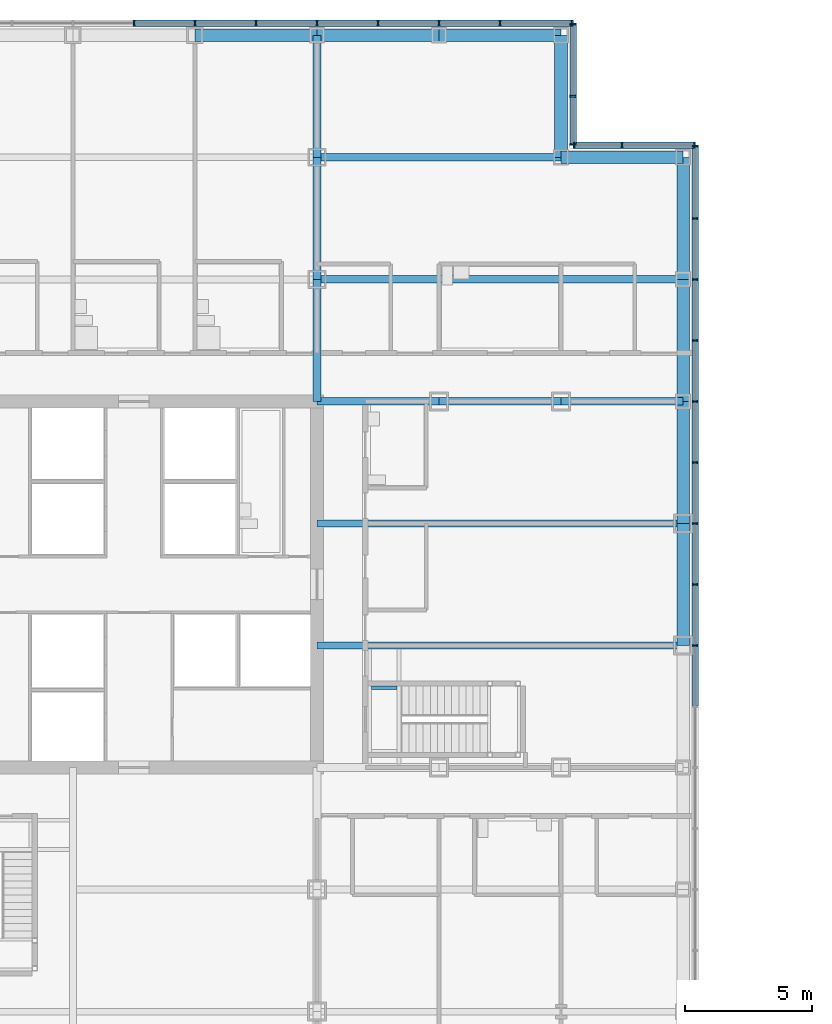
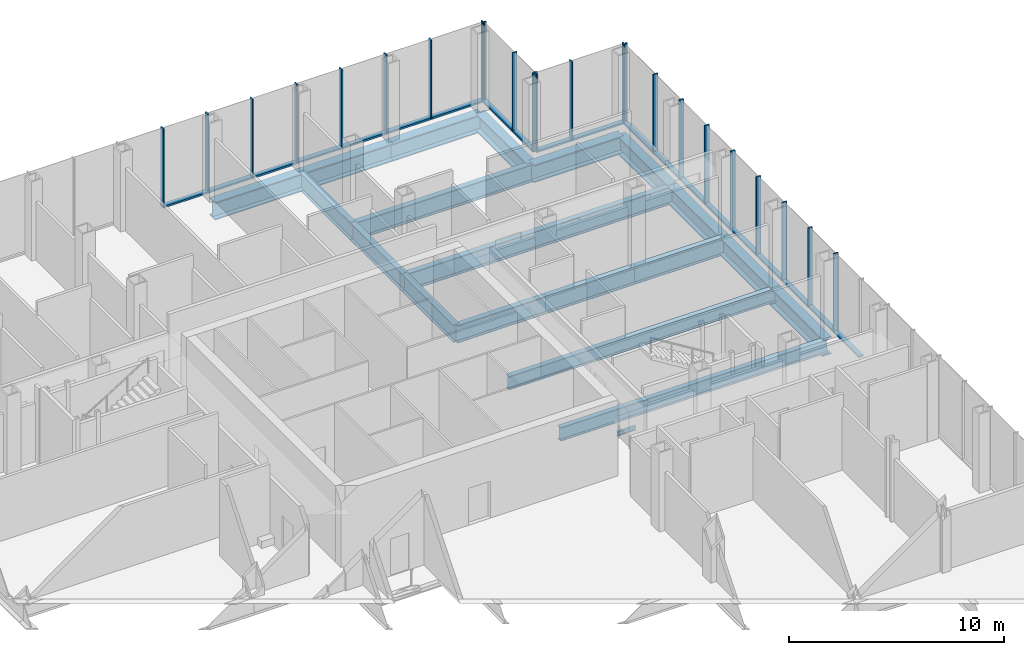
# One storey, part 16 of 25: 43 members, 20 beams, 4 elements without a shape of their own.
"""IFC4 building model written with IfcOpenShell, lengths in metres."""

from ifc_helpers import new_model, si_unit, direction, frame, origin, origin_2d, place, context, subcontext, project, spatial, rectangle, i_section, extrude, material, material_profile, profile_set, type_object, element, aggregate, save


model = new_model("IFC4")

# Units and contexts
model_context = context("Model", 3, precision=1e-05, world=origin(), true_north=direction((0.0, 1.0)))
body_context = subcontext(model_context, "Body", "Model", "MODEL_VIEW")
ifc_project = project(units=[si_unit("LENGTHUNIT", "METRE"), si_unit("AREAUNIT", "SQUARE_METRE"), si_unit("VOLUMEUNIT", "CUBIC_METRE"), si_unit("PLANEANGLEUNIT", "RADIAN"), si_unit("MASSUNIT", "GRAM", prefix="KILO")], contexts=[model_context])

# Site, building, storey
site_placement = place(None, origin())
site = spatial("IfcSite", under=ifc_project, at=site_placement, CompositionType="ELEMENT")
building_placement = place(site_placement, origin())
building = spatial("IfcBuilding", under=site, at=building_placement, Name="Kvirike Care Tower", CompositionType="ELEMENT")
storey_placement = place(building_placement, frame((0.0, 0.0, 9.0)))
storey = spatial("IfcBuildingStorey", under=building, at=storey_placement, Name="L02", CompositionType="ELEMENT", Elevation=9.0)

# Curtain wall, members
ifc_material_1 = material(Name="Anodised aluminium stick system", Category="aluminium")
curtain_wall_type = type_object("IfcCurtainWallType", Name="CW-P PODIUM STICK CURTAIN WALL", PredefinedType="NOTDEFINED", material=ifc_material_1)
curtain_wall_1_placement = place(storey_placement, origin())
curtain_wall_1 = element("IfcCurtainWall", 1, at=curtain_wall_1_placement, inside=storey, type_object=curtain_wall_type, Name="Curtain wall L02 face 8", PredefinedType="NOTDEFINED")
ifc_material_2 = material(Name="Bronze anodised aluminium mullion", Category="aluminium")
ifc_material_profile_1 = material_profile(ifc_material_2, rectangle(XDim=0.06494140625, YDim=0.25, at=origin_2d()), Name="CW-P MULLION 65x250")
ifc_profile_set_1 = profile_set([ifc_material_profile_1], Name="Bronze anodised aluminium mullion")
member_type_1 = type_object("IfcMemberType", Name="CW-P MULLION 65x250", PredefinedType="MULLION", material=ifc_profile_set_1)
member_1_placement = place(storey_placement, frame((43.675048828125, 33.60009765625, 0.0), z_axis=(0.0, 0.0, 1.0), x_axis=(0.0, 1.0, 0.0)))
member_1 = element("IfcMember", 2, at=member_1_placement, type_object=member_type_1, Name="CW-P mullion L02 face 8.9", PredefinedType="MULLION", context=body_context, shape_type="SweptSolid", body=[
    extrude(rectangle(XDim=0.06494140625, YDim=0.25, at=origin_2d()), origin(), (0.0, 0.0, 1.0), 4.5),
])
member_2_placement = place(storey_placement, frame((43.675048828125, 36.0, 0.0), z_axis=(0.0, 0.0, 1.0), x_axis=(0.0, 1.0, 0.0)))
member_2 = element("IfcMember", 3, at=member_2_placement, type_object=member_type_1, Name="CW-P mullion L02 face 8.10", PredefinedType="MULLION", context=body_context, shape_type="SweptSolid", body=[
    extrude(rectangle(XDim=0.06494140625, YDim=0.25, at=origin_2d()), origin(), (0.0, 0.0, 1.0), 4.5),
])
member_3_placement = place(storey_placement, frame((43.675048828125, 38.39990234375, 0.0), z_axis=(0.0, 0.0, 1.0), x_axis=(0.0, 1.0, 0.0)))
member_3 = element("IfcMember", 4, at=member_3_placement, type_object=member_type_1, Name="CW-P mullion L02 face 8.11", PredefinedType="MULLION", context=body_context, shape_type="SweptSolid", body=[
    extrude(rectangle(XDim=0.06494140625, YDim=0.25, at=origin_2d()), origin(), (0.0, 0.0, 1.0), 4.5),
])
member_4_placement = place(storey_placement, frame((43.675048828125, 40.800048828125, 0.0), z_axis=(0.0, 0.0, 1.0), x_axis=(0.0, 1.0, 0.0)))
member_4 = element("IfcMember", 5, at=member_4_placement, type_object=member_type_1, Name="CW-P mullion L02 face 8.12", PredefinedType="MULLION", context=body_context, shape_type="SweptSolid", body=[
    extrude(rectangle(XDim=0.06494140625, YDim=0.25, at=origin_2d()), origin(), (0.0, 0.0, 1.0), 4.5),
])
member_5_placement = place(storey_placement, frame((43.675048828125, 43.199951171875, 0.0), z_axis=(0.0, 0.0, 1.0), x_axis=(0.0, 1.0, 0.0)))
member_5 = element("IfcMember", 6, at=member_5_placement, type_object=member_type_1, Name="CW-P mullion L02 face 8.13", PredefinedType="MULLION", context=body_context, shape_type="SweptSolid", body=[
    extrude(rectangle(XDim=0.06494140625, YDim=0.25, at=origin_2d()), origin(), (0.0, 0.0, 1.0), 4.5),
])
member_6_placement = place(storey_placement, frame((43.675048828125, 45.60009765625, 0.0), z_axis=(0.0, 0.0, 1.0), x_axis=(0.0, 1.0, 0.0)))
member_6 = element("IfcMember", 7, at=member_6_placement, type_object=member_type_1, Name="CW-P mullion L02 face 8.14", PredefinedType="MULLION", context=body_context, shape_type="SweptSolid", body=[
    extrude(rectangle(XDim=0.06494140625, YDim=0.25, at=origin_2d()), origin(), (0.0, 0.0, 1.0), 4.5),
])
member_7_placement = place(storey_placement, frame((43.675048828125, 48.0, 0.0), z_axis=(0.0, 0.0, 1.0), x_axis=(0.0, 1.0, 0.0)))
member_7 = element("IfcMember", 8, at=member_7_placement, type_object=member_type_1, Name="CW-P mullion L02 face 8.15", PredefinedType="MULLION", context=body_context, shape_type="SweptSolid", body=[
    extrude(rectangle(XDim=0.06494140625, YDim=0.25, at=origin_2d()), origin(), (0.0, 0.0, 1.0), 4.5),
])
member_8_placement = place(storey_placement, frame((43.675048828125, 50.39990234375, 0.0), z_axis=(0.0, 0.0, 1.0), x_axis=(0.0, 1.0, 0.0)))
member_8 = element("IfcMember", 9, at=member_8_placement, type_object=member_type_1, Name="CW-P mullion L02 face 8.16", PredefinedType="MULLION", context=body_context, shape_type="SweptSolid", body=[
    extrude(rectangle(XDim=0.06494140625, YDim=0.25, at=origin_2d()), origin(), (0.0, 0.0, 1.0), 4.5),
])
member_9_placement = place(storey_placement, frame((43.675048828125, 53.242431640625, 0.0), z_axis=(0.0, 0.0, 1.0), x_axis=(0.0, 1.0, 0.0)))
member_9 = element("IfcMember", 10, at=member_9_placement, type_object=member_type_1, Name="CW-P mullion L02 face 8.17", PredefinedType="MULLION", context=body_context, shape_type="SweptSolid", body=[
    extrude(rectangle(XDim=0.06494140625, YDim=0.25, at=origin_2d()), origin(), (0.0, 0.0, 1.0), 4.5),
])

curtain_wall_2_placement = place(storey_placement, origin())
curtain_wall_2 = element("IfcCurtainWall", 11, at=curtain_wall_2_placement, inside=storey, type_object=curtain_wall_type, Name="Curtain wall L02 face 9", PredefinedType="NOTDEFINED")
member_10_placement = place(storey_placement, frame((43.642578125, 53.27490234375, 0.0), z_axis=(0.0, 0.0, 1.0), x_axis=(-1.0, 0.0, 0.0)))
member_10 = element("IfcMember", 12, at=member_10_placement, type_object=member_type_1, Name="CW-P mullion L02 face 9.1", PredefinedType="MULLION", context=body_context, shape_type="SweptSolid", body=[
    extrude(rectangle(XDim=0.06494140625, YDim=0.25, at=origin_2d()), origin(), (0.0, 0.0, 1.0), 4.5),
])
member_11_placement = place(storey_placement, frame((40.800048828125, 53.27490234375, 0.0), z_axis=(0.0, 0.0, 1.0), x_axis=(-1.0, 0.0, 0.0)))
member_11 = element("IfcMember", 13, at=member_11_placement, type_object=member_type_1, Name="CW-P mullion L02 face 9.2", PredefinedType="MULLION", context=body_context, shape_type="SweptSolid", body=[
    extrude(rectangle(XDim=0.06494140625, YDim=0.25, at=origin_2d()), origin(), (0.0, 0.0, 1.0), 4.5),
])
member_12_placement = place(storey_placement, frame((38.907470703125, 53.27490234375, 0.0), z_axis=(0.0, 0.0, 1.0), x_axis=(-1.0, 0.0, 0.0)))
member_12 = element("IfcMember", 14, at=member_12_placement, type_object=member_type_1, Name="CW-P mullion L02 face 9.3", PredefinedType="MULLION", context=body_context, shape_type="SweptSolid", body=[
    extrude(rectangle(XDim=0.06494140625, YDim=0.25, at=origin_2d()), origin(), (0.0, 0.0, 1.0), 4.5),
])

curtain_wall_3_placement = place(storey_placement, origin())
curtain_wall_3 = element("IfcCurtainWall", 15, at=curtain_wall_3_placement, inside=storey, type_object=curtain_wall_type, Name="Curtain wall L02 face 10", PredefinedType="NOTDEFINED")
member_13_placement = place(storey_placement, frame((38.875, 53.3076171875, 0.0), z_axis=(0.0, 0.0, 1.0), x_axis=(0.0, 1.0, 0.0)))
member_13 = element("IfcMember", 16, at=member_13_placement, type_object=member_type_1, Name="CW-P mullion L02 face 10.1", PredefinedType="MULLION", context=body_context, shape_type="SweptSolid", body=[
    extrude(rectangle(XDim=0.06494140625, YDim=0.25, at=origin_2d()), origin(), (0.0, 0.0, 1.0), 4.5),
])
member_14_placement = place(storey_placement, frame((38.875, 55.199951171875, 0.0), z_axis=(0.0, 0.0, 1.0), x_axis=(0.0, 1.0, 0.0)))
member_14 = element("IfcMember", 17, at=member_14_placement, type_object=member_type_1, Name="CW-P mullion L02 face 10.2", PredefinedType="MULLION", context=body_context, shape_type="SweptSolid", body=[
    extrude(rectangle(XDim=0.06494140625, YDim=0.25, at=origin_2d()), origin(), (0.0, 0.0, 1.0), 4.5),
])
member_15_placement = place(storey_placement, frame((38.875, 58.04248046875, 0.0), z_axis=(0.0, 0.0, 1.0), x_axis=(0.0, 1.0, 0.0)))
member_15 = element("IfcMember", 18, at=member_15_placement, type_object=member_type_1, Name="CW-P mullion L02 face 10.3", PredefinedType="MULLION", context=body_context, shape_type="SweptSolid", body=[
    extrude(rectangle(XDim=0.06494140625, YDim=0.25, at=origin_2d()), origin(), (0.0, 0.0, 1.0), 4.5),
])

curtain_wall_4_placement = place(storey_placement, origin())
curtain_wall_4 = element("IfcCurtainWall", 19, at=curtain_wall_4_placement, inside=storey, type_object=curtain_wall_type, Name="Curtain wall L02 face 11", PredefinedType="NOTDEFINED")
member_16_placement = place(storey_placement, frame((38.842529296875, 58.074951171875, 0.0), z_axis=(0.0, 0.0, 1.0), x_axis=(-1.0, 0.0, 0.0)))
member_16 = element("IfcMember", 20, at=member_16_placement, type_object=member_type_1, Name="CW-P mullion L02 face 11.1", PredefinedType="MULLION", context=body_context, shape_type="SweptSolid", body=[
    extrude(rectangle(XDim=0.06494140625, YDim=0.25, at=origin_2d()), origin(), (0.0, 0.0, 1.0), 4.5),
])
member_17_placement = place(storey_placement, frame((36.0, 58.074951171875, 0.0), z_axis=(0.0, 0.0, 1.0), x_axis=(-1.0, 0.0, 0.0)))
member_17 = element("IfcMember", 21, at=member_17_placement, type_object=member_type_1, Name="CW-P mullion L02 face 11.2", PredefinedType="MULLION", context=body_context, shape_type="SweptSolid", body=[
    extrude(rectangle(XDim=0.06494140625, YDim=0.25, at=origin_2d()), origin(), (0.0, 0.0, 1.0), 4.5),
])
member_18_placement = place(storey_placement, frame((33.60009765625, 58.074951171875, 0.0), z_axis=(0.0, 0.0, 1.0), x_axis=(-1.0, 0.0, 0.0)))
member_18 = element("IfcMember", 22, at=member_18_placement, type_object=member_type_1, Name="CW-P mullion L02 face 11.3", PredefinedType="MULLION", context=body_context, shape_type="SweptSolid", body=[
    extrude(rectangle(XDim=0.06494140625, YDim=0.25, at=origin_2d()), origin(), (0.0, 0.0, 1.0), 4.5),
])
member_19_placement = place(storey_placement, frame((31.199951171875, 58.074951171875, 0.0), z_axis=(0.0, 0.0, 1.0), x_axis=(-1.0, 0.0, 0.0)))
member_19 = element("IfcMember", 23, at=member_19_placement, type_object=member_type_1, Name="CW-P mullion L02 face 11.4", PredefinedType="MULLION", context=body_context, shape_type="SweptSolid", body=[
    extrude(rectangle(XDim=0.06494140625, YDim=0.25, at=origin_2d()), origin(), (0.0, 0.0, 1.0), 4.5),
])
member_20_placement = place(storey_placement, frame((28.800048828125, 58.074951171875, 0.0), z_axis=(0.0, 0.0, 1.0), x_axis=(-1.0, 0.0, 0.0)))
member_20 = element("IfcMember", 24, at=member_20_placement, type_object=member_type_1, Name="CW-P mullion L02 face 11.5", PredefinedType="MULLION", context=body_context, shape_type="SweptSolid", body=[
    extrude(rectangle(XDim=0.06494140625, YDim=0.25, at=origin_2d()), origin(), (0.0, 0.0, 1.0), 4.5),
])
member_21_placement = place(storey_placement, frame((26.39990234375, 58.074951171875, 0.0), z_axis=(0.0, 0.0, 1.0), x_axis=(-1.0, 0.0, 0.0)))
member_21 = element("IfcMember", 25, at=member_21_placement, type_object=member_type_1, Name="CW-P mullion L02 face 11.6", PredefinedType="MULLION", context=body_context, shape_type="SweptSolid", body=[
    extrude(rectangle(XDim=0.06494140625, YDim=0.25, at=origin_2d()), origin(), (0.0, 0.0, 1.0), 4.5),
])
member_22_placement = place(storey_placement, frame((24.0, 58.074951171875, 0.0), z_axis=(0.0, 0.0, 1.0), x_axis=(-1.0, 0.0, 0.0)))
member_22 = element("IfcMember", 26, at=member_22_placement, type_object=member_type_1, Name="CW-P mullion L02 face 11.7", PredefinedType="MULLION", context=body_context, shape_type="SweptSolid", body=[
    extrude(rectangle(XDim=0.06494140625, YDim=0.25, at=origin_2d()), origin(), (0.0, 0.0, 1.0), 4.5),
])
member_23_placement = place(storey_placement, frame((21.60009765625, 58.074951171875, 0.0), z_axis=(0.0, 0.0, 1.0), x_axis=(-1.0, 0.0, 0.0)))
member_23 = element("IfcMember", 27, at=member_23_placement, type_object=member_type_1, Name="CW-P mullion L02 face 11.8", PredefinedType="MULLION", context=body_context, shape_type="SweptSolid", body=[
    extrude(rectangle(XDim=0.06494140625, YDim=0.25, at=origin_2d()), origin(), (0.0, 0.0, 1.0), 4.5),
])

# Member
ifc_material_3 = material(Name="Bronze anodised aluminium transom", Category="aluminium")
ifc_material_profile_2 = material_profile(ifc_material_3, rectangle(XDim=0.25, YDim=0.10009765625, at=origin_2d()), Name="CW-P TRANSOM 250x100")
ifc_profile_set_2 = profile_set([ifc_material_profile_2], Name="Bronze anodised aluminium transom")
member_type_2 = type_object("IfcMemberType", Name="CW-P TRANSOM 250x100", PredefinedType="USERDEFINED", material=ifc_profile_set_2)
member_24_placement = place(storey_placement, frame((43.675048828125, 31.232421875, 0.050048828125), z_axis=(0.0, 1.0, 0.0), x_axis=(-1.0, 0.0, 0.0)))
member_24 = element("IfcMember", 28, at=member_24_placement, type_object=member_type_2, Name="CW-P sill transom L02 face 8.8", ObjectType="TRANSOM", PredefinedType="USERDEFINED", context=body_context, shape_type="SweptSolid", body=[
    extrude(rectangle(XDim=0.25, YDim=0.10009765625, at=origin_2d()), origin(), (0.0, 0.0, 1.0), 2.3349609375),
])

member_25_placement = place(storey_placement, frame((43.675048828125, 33.632568359375, 0.050048828125), z_axis=(0.0, 1.0, 0.0), x_axis=(-1.0, 0.0, 0.0)))
member_25 = element("IfcMember", 29, at=member_25_placement, type_object=member_type_2, Name="CW-P sill transom L02 face 8.9", ObjectType="TRANSOM", PredefinedType="USERDEFINED", context=body_context, shape_type="SweptSolid", body=[
    extrude(rectangle(XDim=0.25, YDim=0.10009765625, at=origin_2d()), origin(), (0.0, 0.0, 1.0), 2.3349609375),
])

member_26_placement = place(storey_placement, frame((43.675048828125, 36.032470703125, 0.050048828125), z_axis=(0.0, 1.0, 0.0), x_axis=(-1.0, 0.0, 0.0)))
member_26 = element("IfcMember", 30, at=member_26_placement, type_object=member_type_2, Name="CW-P sill transom L02 face 8.10", ObjectType="TRANSOM", PredefinedType="USERDEFINED", context=body_context, shape_type="SweptSolid", body=[
    extrude(rectangle(XDim=0.25, YDim=0.10009765625, at=origin_2d()), origin(), (0.0, 0.0, 1.0), 2.3349609375),
])

member_27_placement = place(storey_placement, frame((43.675048828125, 38.4326171875, 0.050048828125), z_axis=(0.0, 1.0, 0.0), x_axis=(-1.0, 0.0, 0.0)))
member_27 = element("IfcMember", 31, at=member_27_placement, type_object=member_type_2, Name="CW-P sill transom L02 face 8.11", ObjectType="TRANSOM", PredefinedType="USERDEFINED", context=body_context, shape_type="SweptSolid", body=[
    extrude(rectangle(XDim=0.25, YDim=0.10009765625, at=origin_2d()), origin(), (0.0, 0.0, 1.0), 2.3349609375),
])

member_28_placement = place(storey_placement, frame((43.675048828125, 40.83251953125, 0.050048828125), z_axis=(0.0, 1.0, 0.0), x_axis=(-1.0, 0.0, 0.0)))
member_28 = element("IfcMember", 32, at=member_28_placement, type_object=member_type_2, Name="CW-P sill transom L02 face 8.12", ObjectType="TRANSOM", PredefinedType="USERDEFINED", context=body_context, shape_type="SweptSolid", body=[
    extrude(rectangle(XDim=0.25, YDim=0.10009765625, at=origin_2d()), origin(), (0.0, 0.0, 1.0), 2.3349609375),
])

member_29_placement = place(storey_placement, frame((43.675048828125, 43.232421875, 0.050048828125), z_axis=(0.0, 1.0, 0.0), x_axis=(-1.0, 0.0, 0.0)))
member_29 = element("IfcMember", 33, at=member_29_placement, type_object=member_type_2, Name="CW-P sill transom L02 face 8.13", ObjectType="TRANSOM", PredefinedType="USERDEFINED", context=body_context, shape_type="SweptSolid", body=[
    extrude(rectangle(XDim=0.25, YDim=0.10009765625, at=origin_2d()), origin(), (0.0, 0.0, 1.0), 2.3349609375),
])

member_30_placement = place(storey_placement, frame((43.675048828125, 45.632568359375, 0.050048828125), z_axis=(0.0, 1.0, 0.0), x_axis=(-1.0, 0.0, 0.0)))
member_30 = element("IfcMember", 34, at=member_30_placement, type_object=member_type_2, Name="CW-P sill transom L02 face 8.14", ObjectType="TRANSOM", PredefinedType="USERDEFINED", context=body_context, shape_type="SweptSolid", body=[
    extrude(rectangle(XDim=0.25, YDim=0.10009765625, at=origin_2d()), origin(), (0.0, 0.0, 1.0), 2.3349609375),
])

member_31_placement = place(storey_placement, frame((43.675048828125, 48.032470703125, 0.050048828125), z_axis=(0.0, 1.0, 0.0), x_axis=(-1.0, 0.0, 0.0)))
member_31 = element("IfcMember", 35, at=member_31_placement, type_object=member_type_2, Name="CW-P sill transom L02 face 8.15", ObjectType="TRANSOM", PredefinedType="USERDEFINED", context=body_context, shape_type="SweptSolid", body=[
    extrude(rectangle(XDim=0.25, YDim=0.10009765625, at=origin_2d()), origin(), (0.0, 0.0, 1.0), 2.3349609375),
])

member_32_placement = place(storey_placement, frame((43.675048828125, 50.4326171875, 0.050048828125), z_axis=(0.0, 1.0, 0.0), x_axis=(-1.0, 0.0, 0.0)))
member_32 = element("IfcMember", 36, at=member_32_placement, type_object=member_type_2, Name="CW-P sill transom L02 face 8.16", ObjectType="TRANSOM", PredefinedType="USERDEFINED", context=body_context, shape_type="SweptSolid", body=[
    extrude(rectangle(XDim=0.25, YDim=0.10009765625, at=origin_2d()), origin(), (0.0, 0.0, 1.0), 2.77734375),
])

aggregate(curtain_wall_1, [member_1, member_2, member_3, member_4, member_5, member_6, member_7, member_8, member_9, member_24, member_25, member_26, member_27, member_28, member_29, member_30, member_31, member_32])

member_33_placement = place(storey_placement, frame((43.610107421875, 53.27490234375, 0.050048828125), z_axis=(-1.0, 0.0, 0.0), x_axis=(0.0, -1.0, 0.0)))
member_33 = element("IfcMember", 37, at=member_33_placement, type_object=member_type_2, Name="CW-P sill transom L02 face 9.1", ObjectType="TRANSOM", PredefinedType="USERDEFINED", context=body_context, shape_type="SweptSolid", body=[
    extrude(rectangle(XDim=0.25, YDim=0.10009765625, at=origin_2d()), origin(), (0.0, 0.0, 1.0), 2.777587890625),
])

member_34_placement = place(storey_placement, frame((40.767578125, 53.27490234375, 0.050048828125), z_axis=(-1.0, 0.0, 0.0), x_axis=(0.0, -1.0, 0.0)))
member_34 = element("IfcMember", 38, at=member_34_placement, type_object=member_type_2, Name="CW-P sill transom L02 face 9.2", ObjectType="TRANSOM", PredefinedType="USERDEFINED", context=body_context, shape_type="SweptSolid", body=[
    extrude(rectangle(XDim=0.25, YDim=0.10009765625, at=origin_2d()), origin(), (0.0, 0.0, 1.0), 1.82763671875),
])

aggregate(curtain_wall_2, [member_10, member_11, member_12, member_33, member_34])

member_35_placement = place(storey_placement, frame((38.875, 53.340087890625, 0.050048828125), z_axis=(0.0, 1.0, 0.0), x_axis=(-1.0, 0.0, 0.0)))
member_35 = element("IfcMember", 39, at=member_35_placement, type_object=member_type_2, Name="CW-P sill transom L02 face 10.1", ObjectType="TRANSOM", PredefinedType="USERDEFINED", context=body_context, shape_type="SweptSolid", body=[
    extrude(rectangle(XDim=0.25, YDim=0.10009765625, at=origin_2d()), origin(), (0.0, 0.0, 1.0), 1.827392578125),
])

member_36_placement = place(storey_placement, frame((38.875, 55.232421875, 0.050048828125), z_axis=(0.0, 1.0, 0.0), x_axis=(-1.0, 0.0, 0.0)))
member_36 = element("IfcMember", 40, at=member_36_placement, type_object=member_type_2, Name="CW-P sill transom L02 face 10.2", ObjectType="TRANSOM", PredefinedType="USERDEFINED", context=body_context, shape_type="SweptSolid", body=[
    extrude(rectangle(XDim=0.25, YDim=0.10009765625, at=origin_2d()), origin(), (0.0, 0.0, 1.0), 2.777587890625),
])

aggregate(curtain_wall_3, [member_13, member_14, member_15, member_35, member_36])

member_37_placement = place(storey_placement, frame((38.81005859375, 58.074951171875, 0.050048828125), z_axis=(-1.0, 0.0, 0.0), x_axis=(0.0, -1.0, 0.0)))
member_37 = element("IfcMember", 41, at=member_37_placement, type_object=member_type_2, Name="CW-P sill transom L02 face 11.1", ObjectType="TRANSOM", PredefinedType="USERDEFINED", context=body_context, shape_type="SweptSolid", body=[
    extrude(rectangle(XDim=0.25, YDim=0.10009765625, at=origin_2d()), origin(), (0.0, 0.0, 1.0), 2.777587890625),
])

member_38_placement = place(storey_placement, frame((35.967529296875, 58.074951171875, 0.050048828125), z_axis=(-1.0, 0.0, 0.0), x_axis=(0.0, -1.0, 0.0)))
member_38 = element("IfcMember", 42, at=member_38_placement, type_object=member_type_2, Name="CW-P sill transom L02 face 11.2", ObjectType="TRANSOM", PredefinedType="USERDEFINED", context=body_context, shape_type="SweptSolid", body=[
    extrude(rectangle(XDim=0.25, YDim=0.10009765625, at=origin_2d()), origin(), (0.0, 0.0, 1.0), 2.3349609375),
])

member_39_placement = place(storey_placement, frame((33.5673828125, 58.074951171875, 0.050048828125), z_axis=(-1.0, 0.0, 0.0), x_axis=(0.0, -1.0, 0.0)))
member_39 = element("IfcMember", 43, at=member_39_placement, type_object=member_type_2, Name="CW-P sill transom L02 face 11.3", ObjectType="TRANSOM", PredefinedType="USERDEFINED", context=body_context, shape_type="SweptSolid", body=[
    extrude(rectangle(XDim=0.25, YDim=0.10009765625, at=origin_2d()), origin(), (0.0, 0.0, 1.0), 2.3349609375),
])

member_40_placement = place(storey_placement, frame((31.16748046875, 58.074951171875, 0.050048828125), z_axis=(-1.0, 0.0, 0.0), x_axis=(0.0, -1.0, 0.0)))
member_40 = element("IfcMember", 44, at=member_40_placement, type_object=member_type_2, Name="CW-P sill transom L02 face 11.4", ObjectType="TRANSOM", PredefinedType="USERDEFINED", context=body_context, shape_type="SweptSolid", body=[
    extrude(rectangle(XDim=0.25, YDim=0.10009765625, at=origin_2d()), origin(), (0.0, 0.0, 1.0), 2.3349609375),
])

member_41_placement = place(storey_placement, frame((28.767578125, 58.074951171875, 0.050048828125), z_axis=(-1.0, 0.0, 0.0), x_axis=(0.0, -1.0, 0.0)))
member_41 = element("IfcMember", 45, at=member_41_placement, type_object=member_type_2, Name="CW-P sill transom L02 face 11.5", ObjectType="TRANSOM", PredefinedType="USERDEFINED", context=body_context, shape_type="SweptSolid", body=[
    extrude(rectangle(XDim=0.25, YDim=0.10009765625, at=origin_2d()), origin(), (0.0, 0.0, 1.0), 2.3349609375),
])

member_42_placement = place(storey_placement, frame((26.367431640625, 58.074951171875, 0.050048828125), z_axis=(-1.0, 0.0, 0.0), x_axis=(0.0, -1.0, 0.0)))
member_42 = element("IfcMember", 46, at=member_42_placement, type_object=member_type_2, Name="CW-P sill transom L02 face 11.6", ObjectType="TRANSOM", PredefinedType="USERDEFINED", context=body_context, shape_type="SweptSolid", body=[
    extrude(rectangle(XDim=0.25, YDim=0.10009765625, at=origin_2d()), origin(), (0.0, 0.0, 1.0), 2.3349609375),
])

member_43_placement = place(storey_placement, frame((23.967529296875, 58.074951171875, 0.050048828125), z_axis=(-1.0, 0.0, 0.0), x_axis=(0.0, -1.0, 0.0)))
member_43 = element("IfcMember", 47, at=member_43_placement, type_object=member_type_2, Name="CW-P sill transom L02 face 11.7", ObjectType="TRANSOM", PredefinedType="USERDEFINED", context=body_context, shape_type="SweptSolid", body=[
    extrude(rectangle(XDim=0.25, YDim=0.10009765625, at=origin_2d()), origin(), (0.0, 0.0, 1.0), 2.3349609375),
])

aggregate(curtain_wall_4, [member_16, member_17, member_18, member_19, member_20, member_21, member_22, member_23, member_37, member_38, member_39, member_40, member_41, member_42, member_43])

# Beams
ifc_material_4 = material(Name="Steel S355", Category="steel")
ifc_material_profile_3 = material_profile(ifc_material_4, i_section(OverallWidth=0.300048828125, OverallDepth=1.0, WebThickness=0.01904296875, FlangeThickness=0.035888671875, FilletRadius=0.030029296875, at=origin_2d()), Name="HE 1000 B")
ifc_profile_set_3 = profile_set([ifc_material_profile_3], Name="Steel S355")
beam_type_1 = type_object("IfcBeamType", Name="FLOOR BEAM HE 1000 B", PredefinedType="BEAM", material=ifc_profile_set_3)
beam_1_placement = place(storey_placement, frame((28.800048828125, 48.0, -0.669921875), z_axis=(1.0, 0.0, 0.0), x_axis=(0.0, 1.0, 0.0)))
element("IfcBeam", 48, at=beam_1_placement, inside=storey, type_object=beam_type_1, Name="Floor Beam L9-L12 L02", PredefinedType="BEAM", context=body_context, shape_type="SweptSolid", body=[
    extrude(i_section(OverallWidth=0.300048828125, OverallDepth=1.0, WebThickness=0.01904296875, FlangeThickness=0.035888671875, FilletRadius=0.030029296875, at=origin_2d()), origin(), (0.0, 0.0, 1.0), 14.39990234375),
])
beam_2_placement = place(storey_placement, frame((28.800048828125, 52.800048828125, -0.669921875), z_axis=(1.0, 0.0, 0.0), x_axis=(0.0, 1.0, 0.0)))
element("IfcBeam", 49, at=beam_2_placement, inside=storey, type_object=beam_type_1, Name="Floor Beam M9-M11 L02", PredefinedType="BEAM", context=body_context, shape_type="SweptSolid", body=[
    extrude(i_section(OverallWidth=0.300048828125, OverallDepth=1.0, WebThickness=0.01904296875, FlangeThickness=0.035888671875, FilletRadius=0.030029296875, at=origin_2d()), origin(), (0.0, 0.0, 1.0), 9.599853515625),
])
ifc_material_5 = material(Name="Steel S355", Category="steel")
ifc_material_profile_4 = material_profile(ifc_material_5, i_section(OverallWidth=0.26806640625, OverallDepth=0.77001953125, WebThickness=0.015625, FlangeThickness=0.025390625, FilletRadius=0.01708984375, at=origin_2d()), Name="IPE 750x196")
ifc_profile_set_4 = profile_set([ifc_material_profile_4], Name="Steel S355")
beam_type_2 = type_object("IfcBeamType", Name="FLOOR BEAM IPE 750x196", PredefinedType="BEAM", material=ifc_profile_set_4)
for number, where, z_axis, x_axis, name in (
    (50, (28.800048828125, 33.60009765625, -0.554931640625), (1.0, 0.0, 0.0), (0.0, 1.0, 0.0), "Floor Beam H9-H12 L02"),
    (51, (28.800048828125, 38.39990234375, -0.554931640625), (1.0, 0.0, 0.0), (0.0, 1.0, 0.0), "Floor Beam J9-J12 L02"),
):
    element("IfcBeam", number, at=place(storey_placement, frame(where, z_axis=z_axis, x_axis=x_axis)), inside=storey, type_object=beam_type_2, Name=name, PredefinedType="BEAM", context=body_context, shape_type="SweptSolid", body=[
        extrude(i_section(OverallWidth=0.26806640625, OverallDepth=0.77001953125, WebThickness=0.015625, FlangeThickness=0.025390625, FilletRadius=0.01708984375, at=origin_2d()), origin(), (0.0, 0.0, 1.0), 14.39990234375),
    ])
ifc_material_6 = material(Name="Steel S355", Category="steel")
ifc_material_profile_5 = material_profile(ifc_material_6, i_section(OverallWidth=0.300048828125, OverallDepth=1.0, WebThickness=0.01904296875, FlangeThickness=0.035888671875, FilletRadius=0.030029296875, at=origin_2d()), Name="HE 1000 B")
ifc_profile_set_5 = profile_set([ifc_material_profile_5], Name="Steel S355")
beam_type_3 = type_object("IfcBeamType", Name="FRAME BEAM HE 1000 B", PredefinedType="BEAM", material=ifc_profile_set_5)
beam_3_placement = place(storey_placement, frame((28.800048828125, 43.199951171875, -0.669921875), z_axis=(1.0, 0.0, 0.0), x_axis=(0.0, 1.0, 0.0)))
element("IfcBeam", 52, at=beam_3_placement, inside=storey, type_object=beam_type_3, Name="Frame Beam K9-K10 L02", PredefinedType="BEAM", context=body_context, shape_type="SweptSolid", body=[
    extrude(i_section(OverallWidth=0.300048828125, OverallDepth=1.0, WebThickness=0.01904296875, FlangeThickness=0.035888671875, FilletRadius=0.030029296875, at=origin_2d()), origin(), (0.0, 0.0, 1.0), 4.800048828125),
])
beam_4_placement = place(storey_placement, frame((33.60009765625, 43.199951171875, -0.669921875), z_axis=(1.0, 0.0, 0.0), x_axis=(0.0, 1.0, 0.0)))
element("IfcBeam", 53, at=beam_4_placement, inside=storey, type_object=beam_type_3, Name="Frame Beam K10-K11 L02", PredefinedType="BEAM", context=body_context, shape_type="SweptSolid", body=[
    extrude(i_section(OverallWidth=0.300048828125, OverallDepth=1.0, WebThickness=0.01904296875, FlangeThickness=0.035888671875, FilletRadius=0.030029296875, at=origin_2d()), origin(), (0.0, 0.0, 1.0), 4.7998046875),
])
for number, where, z_axis, x_axis, name in (
    (54, (38.39990234375, 43.199951171875, -0.669921875), (1.0, 0.0, 0.0), (0.0, 1.0, 0.0), "Frame Beam K11-K12 L02"),
    (55, (28.800048828125, 43.199951171875, -0.669921875), (0.0, 1.0, 0.0), (-1.0, 0.0, 0.0), "Frame Beam K9-L9 L02"),
    (56, (28.800048828125, 48.0, -0.669921875), (0.0, 1.0, 0.0), (-1.0, 0.0, 0.0), "Frame Beam L9-M9 L02"),
    (57, (28.800048828125, 52.800048828125, -0.669921875), (0.0, 1.0, 0.0), (-1.0, 0.0, 0.0), "Frame Beam M9-N9 L02"),
):
    element("IfcBeam", number, at=place(storey_placement, frame(where, z_axis=z_axis, x_axis=x_axis)), inside=storey, type_object=beam_type_3, Name=name, PredefinedType="BEAM", context=body_context, shape_type="SweptSolid", body=[
        extrude(i_section(OverallWidth=0.300048828125, OverallDepth=1.0, WebThickness=0.01904296875, FlangeThickness=0.035888671875, FilletRadius=0.030029296875, at=origin_2d()), origin(), (0.0, 0.0, 1.0), 4.800048828125),
    ])
ifc_material_7 = material(Name="Steel S355", Category="steel")
ifc_material_profile_6 = material_profile(ifc_material_7, i_section(OverallWidth=0.5, OverallDepth=1.0, WebThickness=0.030029296875, FlangeThickness=0.06005859375, at=origin_2d()), Name="PG 1000x500x30x60")
ifc_profile_set_6 = profile_set([ifc_material_profile_6], Name="Steel S355")
beam_type_4 = type_object("IfcBeamType", Name="SPANDREL PG 1000x500x30x60", PredefinedType="SPANDREL", material=ifc_profile_set_6)
for number, where, z_axis, x_axis, name in (
    (58, (38.39990234375, 52.800048828125, -0.669921875), (1.0, 0.0, 0.0), (0.0, 1.0, 0.0), "Spandrel M11-M12 L02"),
    (59, (24.0, 57.60009765625, -0.669921875), (1.0, 0.0, 0.0), (0.0, 1.0, 0.0), "Spandrel N8-N9 L02"),
    (60, (28.800048828125, 57.60009765625, -0.669921875), (1.0, 0.0, 0.0), (0.0, 1.0, 0.0), "Spandrel N9-N10 L02"),
):
    element("IfcBeam", number, at=place(storey_placement, frame(where, z_axis=z_axis, x_axis=x_axis)), inside=storey, type_object=beam_type_4, Name=name, PredefinedType="SPANDREL", context=body_context, shape_type="SweptSolid", body=[
        extrude(i_section(OverallWidth=0.5, OverallDepth=1.0, WebThickness=0.030029296875, FlangeThickness=0.06005859375, at=origin_2d()), origin(), (0.0, 0.0, 1.0), 4.800048828125),
    ])
beam_5_placement = place(storey_placement, frame((33.60009765625, 57.60009765625, -0.669921875), z_axis=(1.0, 0.0, 0.0), x_axis=(0.0, 1.0, 0.0)))
element("IfcBeam", 61, at=beam_5_placement, inside=storey, type_object=beam_type_4, Name="Spandrel N10-N11 L02", PredefinedType="SPANDREL", context=body_context, shape_type="SweptSolid", body=[
    extrude(i_section(OverallWidth=0.5, OverallDepth=1.0, WebThickness=0.030029296875, FlangeThickness=0.06005859375, at=origin_2d()), origin(), (0.0, 0.0, 1.0), 4.7998046875),
])
beam_6_placement = place(storey_placement, frame((38.39990234375, 52.800048828125, -0.669921875), z_axis=(0.0, 1.0, 0.0), x_axis=(-1.0, 0.0, 0.0)))
element("IfcBeam", 62, at=beam_6_placement, inside=storey, type_object=beam_type_4, Name="Spandrel M11-N11 L02", PredefinedType="SPANDREL", context=body_context, shape_type="SweptSolid", body=[
    extrude(i_section(OverallWidth=0.5, OverallDepth=1.0, WebThickness=0.030029296875, FlangeThickness=0.06005859375, at=origin_2d()), origin(), (0.0, 0.0, 1.0), 4.800048828125),
])
beam_7_placement = place(storey_placement, frame((43.199951171875, 33.60009765625, -0.669921875), z_axis=(0.0, 1.0, 0.0), x_axis=(-1.0, 0.0, 0.0)))
element("IfcBeam", 63, at=beam_7_placement, inside=storey, type_object=beam_type_4, Name="Spandrel H12-J12 L02", PredefinedType="SPANDREL", context=body_context, shape_type="SweptSolid", body=[
    extrude(i_section(OverallWidth=0.5, OverallDepth=1.0, WebThickness=0.030029296875, FlangeThickness=0.06005859375, at=origin_2d()), origin(), (0.0, 0.0, 1.0), 4.7998046875),
])
for number, where, z_axis, x_axis, name in (
    (64, (43.199951171875, 38.39990234375, -0.669921875), (0.0, 1.0, 0.0), (-1.0, 0.0, 0.0), "Spandrel J12-K12 L02"),
    (65, (43.199951171875, 43.199951171875, -0.669921875), (0.0, 1.0, 0.0), (-1.0, 0.0, 0.0), "Spandrel K12-L12 L02"),
    (66, (43.199951171875, 48.0, -0.669921875), (0.0, 1.0, 0.0), (-1.0, 0.0, 0.0), "Spandrel L12-M12 L02"),
):
    element("IfcBeam", number, at=place(storey_placement, frame(where, z_axis=z_axis, x_axis=x_axis)), inside=storey, type_object=beam_type_4, Name=name, PredefinedType="SPANDREL", context=body_context, shape_type="SweptSolid", body=[
        extrude(i_section(OverallWidth=0.5, OverallDepth=1.0, WebThickness=0.030029296875, FlangeThickness=0.06005859375, at=origin_2d()), origin(), (0.0, 0.0, 1.0), 4.800048828125),
    ])
ifc_material_8 = material(Name="Steel S355", Category="steel")
ifc_material_profile_7 = material_profile(ifc_material_8, i_section(OverallWidth=0.1201171875, OverallDepth=0.239990234375, WebThickness=0.006103515625, FlangeThickness=0.009765625, FilletRadius=0.014892578125, at=origin_2d()), Name="IPE 240")
ifc_profile_set_7 = profile_set([ifc_material_profile_7], Name="Steel S355")
beam_type_5 = type_object("IfcBeamType", Name="STAIR LANDING BEAM IPE 240", PredefinedType="BEAM", material=ifc_profile_set_7)
beam_8_placement = place(storey_placement, frame((31.949951171875, 31.93994140625, -0.320068359375), z_axis=(-1.0, 0.0, 0.0), x_axis=(0.0, -1.0, 0.0)))
element("IfcBeam", 67, at=beam_8_placement, inside=storey, type_object=beam_type_5, Name="Stair 2 landing edge beam 2 L02", PredefinedType="BEAM", context=body_context, shape_type="SweptSolid", body=[
    extrude(i_section(OverallWidth=0.1201171875, OverallDepth=0.239990234375, WebThickness=0.006103515625, FlangeThickness=0.009765625, FilletRadius=0.014892578125, at=origin_2d()), origin(), (0.0, 0.0, 1.0), 1.0),
])

save(model, "model.ifc")
